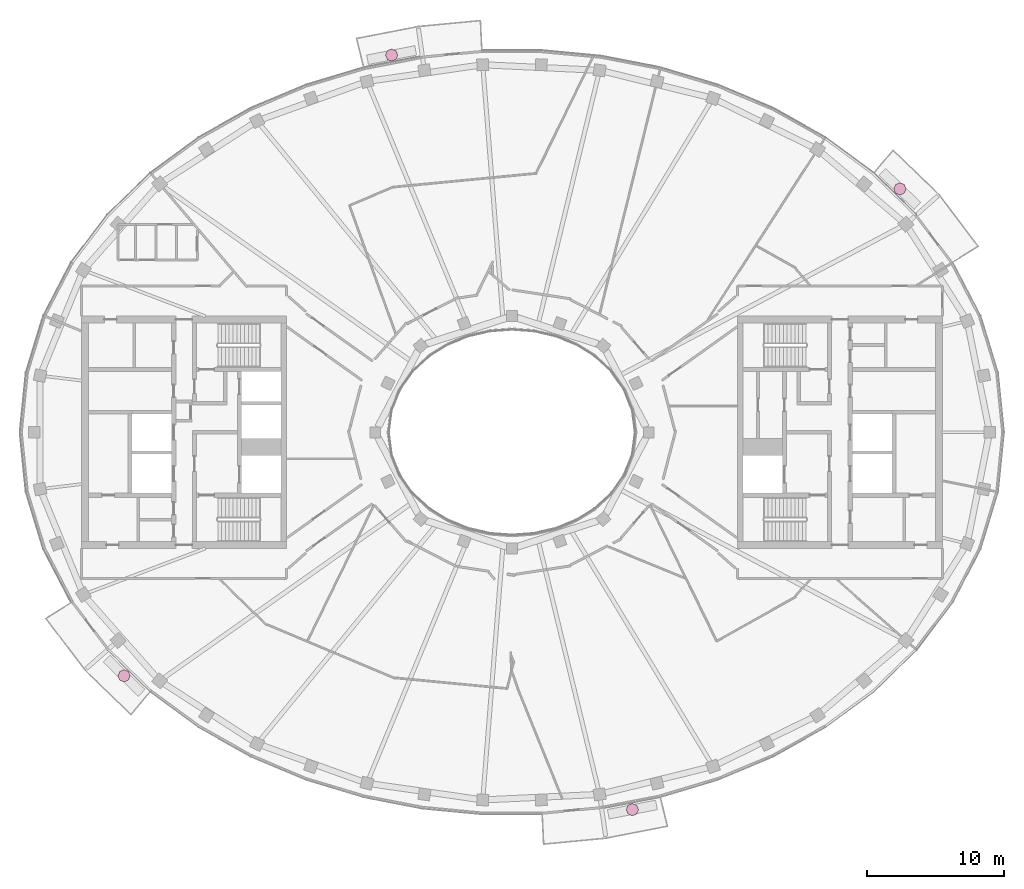
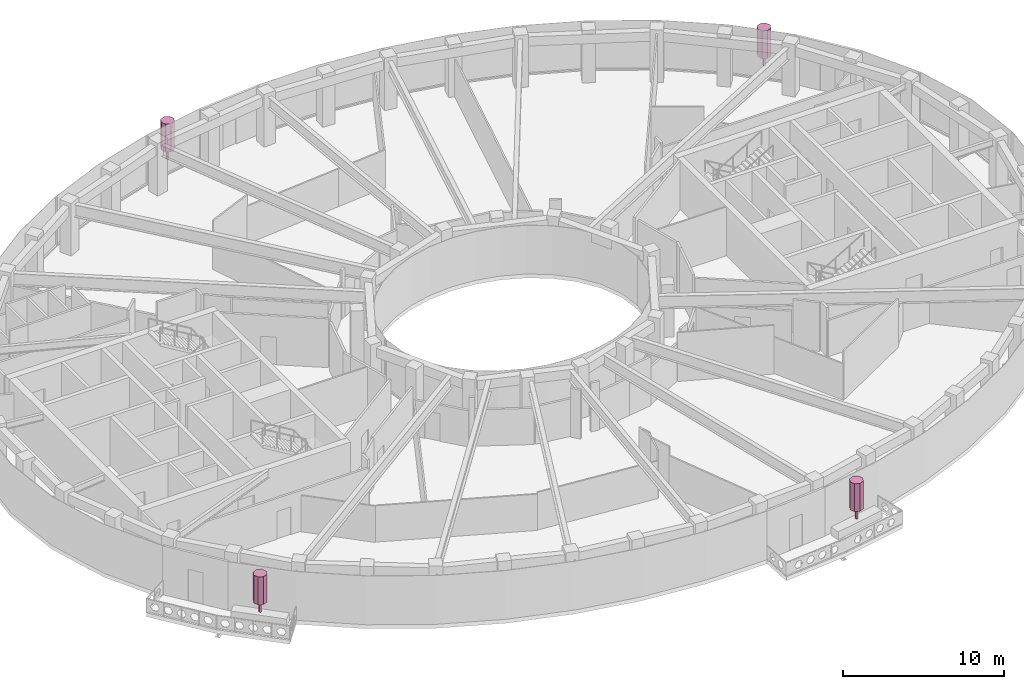
# One storey, part 20 of 20: 4 furnishings.
"""IFC4 building model written with IfcOpenShell, lengths in metres."""

from ifc_helpers import new_model, si_unit, direction, frame, origin, origin_2d, place, context, subcontext, project, spatial, polyline, rectangle, outline, extrude, material, type_object, element, save


model = new_model("IFC4")

# Units and contexts
model_context = context("Model", 3, precision=1e-05, world=origin(), true_north=direction((0.0, 1.0)))
body_context = subcontext(model_context, "Body", "Model", "MODEL_VIEW")
ifc_project = project(units=[si_unit("LENGTHUNIT", "METRE"), si_unit("AREAUNIT", "SQUARE_METRE"), si_unit("VOLUMEUNIT", "CUBIC_METRE"), si_unit("PLANEANGLEUNIT", "RADIAN"), si_unit("MASSUNIT", "GRAM", prefix="KILO")], contexts=[model_context])

# Site, building, storey
site_placement = place(None, origin())
site = spatial("IfcSite", under=ifc_project, at=site_placement, CompositionType="ELEMENT")
building_placement = place(site_placement, origin())
building = spatial("IfcBuilding", under=site, at=building_placement, Name="Noorbagh Ring Tower", CompositionType="ELEMENT")
storey_placement = place(building_placement, frame((0.0, 0.0, 323.0)))
storey = spatial("IfcBuildingStorey", under=building, at=storey_placement, Name="L70", CompositionType="ELEMENT", Elevation=323.0)

# Furnishings
ifc_material = material(Name="Planting foliage green")
furnishing_element_type = type_object("IfcFurnishingElementType", Name="ENV-TREE", material=ifc_material)
for number, where, z_axis, x_axis, name in (
    (1, (28.3837890625, 17.814208984375, 0.60009765625), (0.0, 0.0, 1.0), (1.0, 0.0, 0.0), "Tree BN01"),
    (2, (-8.807861328125, 27.603515625, 0.60009765625), (0.0, 0.0, 1.0), (1.0, 0.0, 0.0), "Tree BN04"),
    (3, (-28.3837890625, -17.814208984375, 0.60009765625), (0.0, 0.0, 1.0), (1.0, 0.0, 0.0), "Tree BS01"),
    (4, (8.807861328125, -27.603515625, 0.60009765625), (0.0, 0.0, 1.0), (1.0, 0.0, 0.0), "Tree BS04"),
):
    element("IfcFurnishingElement", number, at=place(storey_placement, frame(where, z_axis=z_axis, x_axis=x_axis)), inside=storey, type_object=furnishing_element_type, Name=name, context=body_context, shape_type="SweptSolid", body=[
        extrude(rectangle(XDim=0.1201171875, YDim=0.1201171875, at=origin_2d()), origin(), (0.0, 0.0, 1.0), 0.825927734375),
        extrude(outline(polyline([(0.449951171875, 0.0), (0.318115234375, 0.318115234375), (0.0, 0.449951171875), (-0.318115234375, 0.318115234375), (-0.449951171875, 0.0), (-0.318115234375, -0.318115234375), (0.0, -0.449951171875), (0.318115234375, -0.318115234375), (0.449951171875, 0.0)])), frame((0.0, 0.0, 0.825927734375)), (0.0, 0.0, 1.0), 2.1240234375),
    ])

save(model, "model.ifc")
